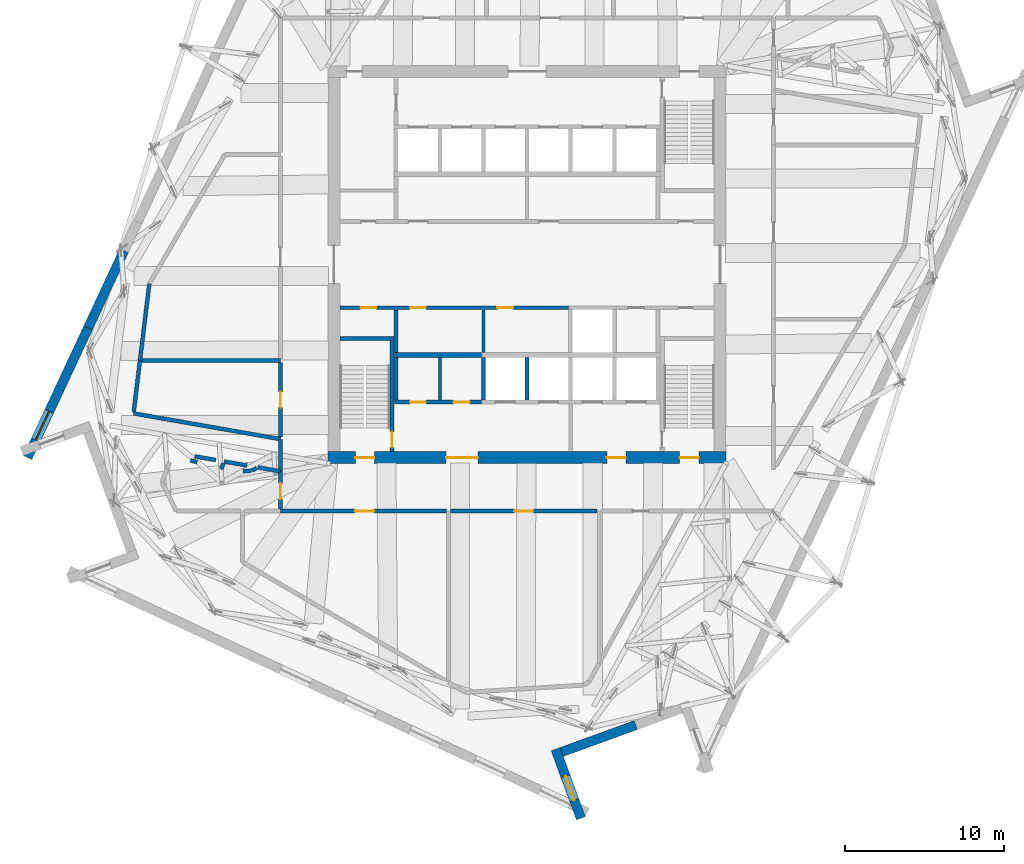
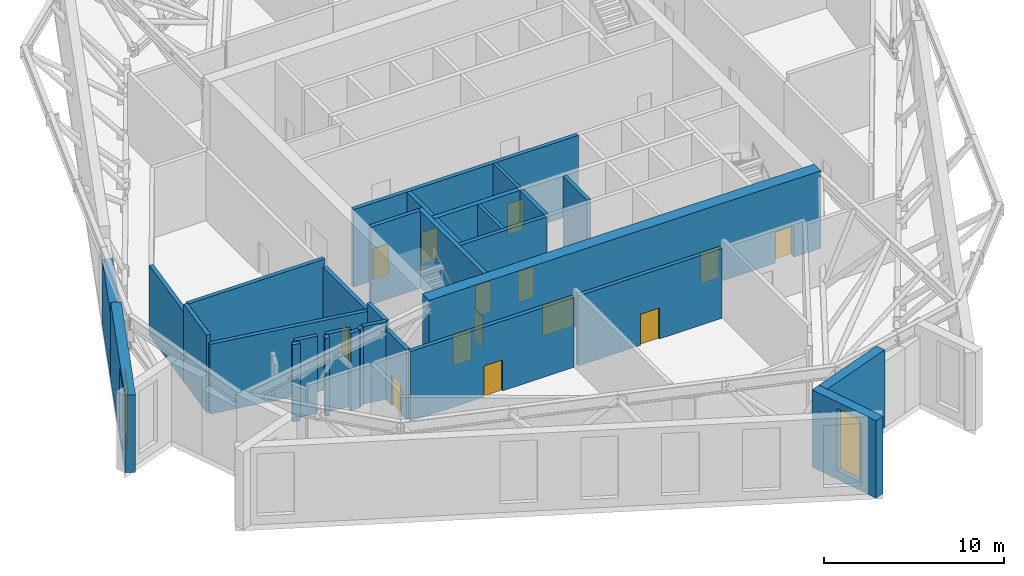
# One storey, part 5 of 15: 32 walls, 14 doors, 2 windows, 16 openings.
"""IFC4 building model written with IfcOpenShell, lengths in metres."""

from ifc_helpers import new_model, si_unit, direction, frame, frame_2d, origin, place, context, subcontext, project, spatial, rectangle, extrude, material, layer, layer_set, type_object, element, fill, save


model = new_model("IFC4")

# Units and contexts
model_context = context("Model", 3, precision=1e-05, world=origin(), true_north=direction((0.0, 1.0)))
body_context = subcontext(model_context, "Body", "Model", "MODEL_VIEW")
ifc_project = project(units=[si_unit("LENGTHUNIT", "METRE"), si_unit("AREAUNIT", "SQUARE_METRE"), si_unit("VOLUMEUNIT", "CUBIC_METRE"), si_unit("PLANEANGLEUNIT", "RADIAN"), si_unit("MASSUNIT", "GRAM", prefix="KILO")], contexts=[model_context])

# Site, building, storey
site_placement = place(None, origin())
site = spatial("IfcSite", under=ifc_project, at=site_placement, CompositionType="ELEMENT")
building_placement = place(site_placement, origin())
building = spatial("IfcBuilding", under=site, at=building_placement, Name="Dilmun Exchange Tower", CompositionType="ELEMENT")
storey_placement = place(building_placement, frame((0.0, 0.0, 290.89990234375)))
storey = spatial("IfcBuildingStorey", under=building, at=storey_placement, Name="L69", CompositionType="ELEMENT", Elevation=290.89990234375)

# Walls
ifc_material_1 = material(Name="Concrete C40/50", Category="concrete")
ifc_layer_1 = layer(ifc_material_1, 0.199951171875)
ifc_layer_set_1 = layer_set([ifc_layer_1], Name="Concrete C40/50")
wall_type_1 = type_object("IfcWallType", Name="Core partition wall 200", PredefinedType="PARTITIONING", material=ifc_layer_set_1)
for number, where, z_axis, x_axis, name in (
    (1, (-5.5, -8.544921875, 0.0), (0.0, 0.0, 1.0), (0.0, 1.0, 0.0), "L69 core partition wall 04"),
    (2, (-2.75, -5.544921875, 0.0), (0.0, 0.0, 1.0), (0.0, 1.0, 0.0), "L69 core partition wall 07"),
):
    element("IfcWall", number, at=place(storey_placement, frame(where, z_axis=z_axis, x_axis=x_axis)), inside=storey, type_object=wall_type_1, Name=name, PredefinedType="PARTITIONING", context=body_context, shape_type="SweptSolid", body=[
        extrude(rectangle(XDim=2.68994140625, YDim=0.199951171875, at=frame_2d((1.344970703125, 0.0))), origin(), (0.0, 0.0, 1.0), 5.25),
    ])

# Wall, openings, doors
ifc_layer_2 = layer(ifc_material_1, 0.25)
ifc_layer_set_2 = layer_set([ifc_layer_2], Name="Concrete C40/50")
wall_type_2 = type_object("IfcWallType", Name="Core partition wall 250", PredefinedType="PARTITIONING", material=ifc_layer_set_2)
wall_1_placement = place(storey_placement, frame((-8.3701171875, -8.675048828125, 0.0), z_axis=(0.0, 0.0, 1.0), x_axis=(1.0, 0.0, 0.0)))
wall_1 = element("IfcWall", 3, at=wall_1_placement, inside=storey, type_object=wall_type_2, Name="L69 core partition wall 02", PredefinedType="PARTITIONING", context=body_context, shape_type="SweptSolid", body=[
    extrude(rectangle(XDim=5.490234375, YDim=0.25, at=frame_2d((2.7451171875, 0.0))), origin(), (0.0, 0.0, 1.0), 5.25),
])
opening_1_placement = place(wall_1_placement, frame((0.9951171875, 0.0, 0.0)))
opening_1 = element("IfcOpeningElement", 4, at=opening_1_placement, cuts=wall_1, Name="Opening CD4", PredefinedType="OPENING", context=body_context, shape_type="SweptSolid", body=[
    extrude(rectangle(XDim=1.0, YDim=2.10009765625, at=frame_2d((0.5, 1.050048828125))), frame((0.0, 0.135009765625, 0.0), z_axis=(0.0, -1.0, 0.0), x_axis=(1.0, 0.0, 0.0)), (0.0, 0.0, 1.0), 0.27001953125),
])
opening_2_placement = place(wall_1_placement, frame((3.7451171875, 0.0, 0.0)))
opening_2 = element("IfcOpeningElement", 5, at=opening_2_placement, cuts=wall_1, Name="Opening CD4", PredefinedType="OPENING", context=body_context, shape_type="SweptSolid", body=[
    extrude(rectangle(XDim=1.0, YDim=2.10009765625, at=frame_2d((0.5, 1.050048828125))), frame((0.0, 0.135009765625, 0.0), z_axis=(0.0, -1.0, 0.0), x_axis=(1.0, 0.0, 0.0)), (0.0, 0.0, 1.0), 0.27001953125),
])
ifc_material_2 = material(Name="Fire-rated steel door set", Category="steel")
door_type_1 = type_object("IfcDoorType", Name="Core room door 1000x2100", OperationType="SINGLE_SWING_LEFT", PredefinedType="DOOR", material=ifc_material_2)
door_1_placement = place(opening_1_placement, origin())
door_1 = element("IfcDoor", 6, at=door_1_placement, inside=storey, type_object=door_type_1, Name="L69 door Male WC", OperationType="SINGLE_SWING_RIGHT", OverallHeight=2.10009765625, OverallWidth=1.0, PredefinedType="DOOR", context=body_context, shape_type="SweptSolid", body=[
    extrude(rectangle(XDim=1.0, YDim=2.10009765625, at=frame_2d((0.5, 1.050048828125))), frame((0.0, 0.02490234375, 0.0), z_axis=(0.0, -1.0, 0.0), x_axis=(1.0, 0.0, 0.0)), (0.0, 0.0, 1.0), 0.050048828125),
])
fill(opening_1, door_1)
door_2_placement = place(opening_2_placement, origin())
door_2 = element("IfcDoor", 7, at=door_2_placement, inside=storey, type_object=door_type_1, Name="L69 door Female WC", OperationType="SINGLE_SWING_RIGHT", OverallHeight=2.10009765625, OverallWidth=1.0, PredefinedType="DOOR", context=body_context, shape_type="SweptSolid", body=[
    extrude(rectangle(XDim=1.0, YDim=2.10009765625, at=frame_2d((0.5, 1.050048828125))), frame((0.0, 0.02490234375, 0.0), z_axis=(0.0, -1.0, 0.0), x_axis=(1.0, 0.0, 0.0)), (0.0, 0.0, 1.0), 0.050048828125),
])
fill(opening_2, door_2)

# Walls
for number, where, z_axis, x_axis, name in (
    (8, (-8.25, -8.544921875, 0.0), (0.0, 0.0, 1.0), (0.0, 1.0, 0.0), "L69 core partition wall 03"),
    (9, (-8.25, -5.544921875, 0.0), (0.0, 0.0, 1.0), (0.0, 1.0, 0.0), "L69 core partition wall 06"),
):
    element("IfcWall", number, at=place(storey_placement, frame(where, z_axis=z_axis, x_axis=x_axis)), inside=storey, type_object=wall_type_2, Name=name, PredefinedType="PARTITIONING", context=body_context, shape_type="SweptSolid", body=[
        extrude(rectangle(XDim=2.68994140625, YDim=0.25, at=frame_2d((1.344970703125, 0.0))), origin(), (0.0, 0.0, 1.0), 5.25),
    ])

# Wall, openings, doors
wall_2_placement = place(storey_placement, frame((-11.794921875, -2.72509765625, 0.0), z_axis=(0.0, 0.0, 1.0), x_axis=(1.0, 0.0, 0.0)))
wall_2 = element("IfcWall", 10, at=wall_2_placement, inside=storey, type_object=wall_type_2, Name="L69 core partition wall 09", PredefinedType="PARTITIONING", context=body_context, shape_type="SweptSolid", body=[
    extrude(rectangle(XDim=14.4150390625, YDim=0.25, at=frame_2d((7.20751953125, 0.0))), origin(), (0.0, 0.0, 1.0), 5.25),
])
opening_3_placement = place(wall_2_placement, frame((1.294921875, 0.0, 0.0)))
opening_3 = element("IfcOpeningElement", 11, at=opening_3_placement, cuts=wall_2, Name="Opening CD4", PredefinedType="OPENING", context=body_context, shape_type="SweptSolid", body=[
    extrude(rectangle(XDim=1.0, YDim=2.10009765625, at=frame_2d((0.5, 1.050048828125))), frame((0.0, 0.135009765625, 0.0), z_axis=(0.0, -1.0, 0.0), x_axis=(1.0, 0.0, 0.0)), (0.0, 0.0, 1.0), 0.27001953125),
])
opening_4_placement = place(wall_2_placement, frame((4.419921875, 0.0, 0.0)))
opening_4 = element("IfcOpeningElement", 12, at=opening_4_placement, cuts=wall_2, Name="Opening CD4", PredefinedType="OPENING", context=body_context, shape_type="SweptSolid", body=[
    extrude(rectangle(XDim=1.0, YDim=2.10009765625, at=frame_2d((0.5, 1.050048828125))), frame((0.0, 0.135009765625, 0.0), z_axis=(0.0, -1.0, 0.0), x_axis=(1.0, 0.0, 0.0)), (0.0, 0.0, 1.0), 0.27001953125),
])
opening_5_placement = place(wall_2_placement, frame((9.919921875, 0.0, 0.0)))
opening_5 = element("IfcOpeningElement", 13, at=opening_5_placement, cuts=wall_2, Name="Opening CD4", PredefinedType="OPENING", context=body_context, shape_type="SweptSolid", body=[
    extrude(rectangle(XDim=1.0, YDim=2.10009765625, at=frame_2d((0.5, 1.050048828125))), frame((0.0, 0.135009765625, 0.0), z_axis=(0.0, -1.0, 0.0), x_axis=(1.0, 0.0, 0.0)), (0.0, 0.0, 1.0), 0.27001953125),
])
door_3_placement = place(opening_3_placement, origin())
door_3 = element("IfcDoor", 14, at=door_3_placement, inside=storey, type_object=door_type_1, Name="L69 door Accessible WC", OperationType="SINGLE_SWING_RIGHT", OverallHeight=2.10009765625, OverallWidth=1.0, PredefinedType="DOOR", context=body_context, shape_type="SweptSolid", body=[
    extrude(rectangle(XDim=1.0, YDim=2.10009765625, at=frame_2d((0.5, 1.050048828125))), frame((0.0, 0.02490234375, 0.0), z_axis=(0.0, -1.0, 0.0), x_axis=(1.0, 0.0, 0.0)), (0.0, 0.0, 1.0), 0.050048828125),
])
fill(opening_3, door_3)
door_4_placement = place(opening_4_placement, origin())
door_4 = element("IfcDoor", 15, at=door_4_placement, inside=storey, type_object=door_type_1, Name="L69 door Archive store", OperationType="SINGLE_SWING_RIGHT", OverallHeight=2.10009765625, OverallWidth=1.0, PredefinedType="DOOR", context=body_context, shape_type="SweptSolid", body=[
    extrude(rectangle(XDim=1.0, YDim=2.10009765625, at=frame_2d((0.5, 1.050048828125))), frame((0.0, 0.02490234375, 0.0), z_axis=(0.0, -1.0, 0.0), x_axis=(1.0, 0.0, 0.0)), (0.0, 0.0, 1.0), 0.050048828125),
])
fill(opening_4, door_4)
door_5_placement = place(opening_5_placement, origin())
door_5 = element("IfcDoor", 16, at=door_5_placement, inside=storey, type_object=door_type_1, Name="L69 door Switch room", OperationType="SINGLE_SWING_RIGHT", OverallHeight=2.10009765625, OverallWidth=1.0, PredefinedType="DOOR", context=body_context, shape_type="SweptSolid", body=[
    extrude(rectangle(XDim=1.0, YDim=2.10009765625, at=frame_2d((0.5, 1.050048828125))), frame((0.0, 0.02490234375, 0.0), z_axis=(0.0, -1.0, 0.0), x_axis=(1.0, 0.0, 0.0)), (0.0, 0.0, 1.0), 0.050048828125),
])
fill(opening_5, door_5)

# Wall
ifc_layer_3 = layer(ifc_material_1, 0.300048828125)
ifc_layer_set_3 = layer_set([ifc_layer_3], Name="Concrete C40/50")
wall_type_3 = type_object("IfcWallType", Name="Core partition wall 300", PredefinedType="PARTITIONING", material=ifc_layer_set_3)
wall_3_placement = place(storey_placement, frame((-8.35009765625, -5.699951171875, 0.0), z_axis=(0.0, 0.0, 1.0), x_axis=(1.0, 0.0, 0.0)))
element("IfcWall", 17, at=wall_3_placement, inside=storey, type_object=wall_type_3, Name="L69 core partition wall 05", PredefinedType="PARTITIONING", context=body_context, shape_type="SweptSolid", body=[
    extrude(rectangle(XDim=5.47021484375, YDim=0.300048828125, at=frame_2d((2.735107421875, 0.0))), origin(), (0.0, 0.0, 1.0), 5.25),
])

# Wall, openings, doors
ifc_material_3 = material(Name="Concrete C50/60", Category="concrete")
ifc_layer_4 = layer(ifc_material_3, 0.75)
ifc_layer_set_4 = layer_set([ifc_layer_4], Name="Concrete C50/60")
wall_type_4 = type_object("IfcWallType", Name="Core shear wall 750 Concrete C50/60", PredefinedType="SHEAR", material=ifc_layer_set_4)
wall_4_placement = place(storey_placement, frame((-12.550048828125, -12.175048828125, 0.0), z_axis=(0.0, 0.0, 1.0), x_axis=(1.0, 0.0, 0.0)))
wall_4 = element("IfcWall", 18, at=wall_4_placement, inside=storey, type_object=wall_type_4, Name="L69 core shear wall S", PredefinedType="SHEAR", context=body_context, shape_type="SweptSolid", body=[
    extrude(rectangle(XDim=25.10009765625, YDim=0.75, at=frame_2d((12.550048828125, 0.0))), origin(), (0.0, 0.0, 1.0), 5.25),
])
opening_6_placement = place(wall_4_placement, frame((7.449951171875, 0.0, 0.0)))
opening_6 = element("IfcOpeningElement", 19, at=opening_6_placement, cuts=wall_4, Name="Opening CD2", PredefinedType="OPENING", context=body_context, shape_type="SweptSolid", body=[
    extrude(rectangle(XDim=2.0, YDim=2.10009765625, at=frame_2d((1.0, 1.050048828125))), frame((0.0, 0.385009765625, 0.0), z_axis=(0.0, -1.0, 0.0), x_axis=(1.0, 0.0, 0.0)), (0.0, 0.0, 1.0), 0.77001953125),
])
opening_7_placement = place(wall_4_placement, frame((17.574951171875, 0.0, 0.0)))
opening_7 = element("IfcOpeningElement", 20, at=opening_7_placement, cuts=wall_4, Name="Opening CD3", PredefinedType="OPENING", context=body_context, shape_type="SweptSolid", body=[
    extrude(rectangle(XDim=1.199951171875, YDim=2.10009765625, at=frame_2d((0.60009765625, 1.050048828125))), frame((0.0, 0.385009765625, 0.0), z_axis=(0.0, -1.0, 0.0), x_axis=(1.0, 0.0, 0.0)), (0.0, 0.0, 1.0), 0.77001953125),
])
opening_8_placement = place(wall_4_placement, frame((1.72509765625, 0.0, 0.0)))
opening_8 = element("IfcOpeningElement", 21, at=opening_8_placement, cuts=wall_4, Name="Opening CD3", PredefinedType="OPENING", context=body_context, shape_type="SweptSolid", body=[
    extrude(rectangle(XDim=1.199951171875, YDim=2.10009765625, at=frame_2d((0.60009765625, 1.050048828125))), frame((0.0, 0.385009765625, 0.0), z_axis=(0.0, -1.0, 0.0), x_axis=(1.0, 0.0, 0.0)), (0.0, 0.0, 1.0), 0.77001953125),
])
opening_9_placement = place(wall_4_placement, frame((22.175048828125, 0.0, 0.0)))
opening_9 = element("IfcOpeningElement", 22, at=opening_9_placement, cuts=wall_4, Name="Opening CD3", PredefinedType="OPENING", context=body_context, shape_type="SweptSolid", body=[
    extrude(rectangle(XDim=1.199951171875, YDim=2.10009765625, at=frame_2d((0.60009765625, 1.050048828125))), frame((0.0, 0.385009765625, 0.0), z_axis=(0.0, -1.0, 0.0), x_axis=(1.0, 0.0, 0.0)), (0.0, 0.0, 1.0), 0.77001953125),
])
door_type_2 = type_object("IfcDoorType", Name="Core service door 2000x2100", OperationType="DOUBLE_DOOR_DOUBLE_SWING", PredefinedType="DOOR", material=ifc_material_2)
door_6_placement = place(opening_6_placement, origin())
door_6 = element("IfcDoor", 23, at=door_6_placement, inside=storey, type_object=door_type_2, Name="L69 door South service lobby", OperationType="SINGLE_SWING_LEFT", OverallHeight=2.10009765625, OverallWidth=2.0, PredefinedType="DOOR", context=body_context, shape_type="SweptSolid", body=[
    extrude(rectangle(XDim=2.0, YDim=2.10009765625, at=frame_2d((1.0, 1.050048828125))), frame((0.0, 0.02490234375, 0.0), z_axis=(0.0, -1.0, 0.0), x_axis=(1.0, 0.0, 0.0)), (0.0, 0.0, 1.0), 0.050048828125),
])
fill(opening_6, door_6)
door_type_3 = type_object("IfcDoorType", Name="Stair exit door 1200x2100", OperationType="SINGLE_SWING_LEFT", PredefinedType="DOOR", material=ifc_material_2)
door_7_placement = place(opening_7_placement, origin())
door_7 = element("IfcDoor", 24, at=door_7_placement, inside=storey, type_object=door_type_3, Name="L69 door Fire-fighting lobby", OperationType="SINGLE_SWING_LEFT", OverallHeight=2.10009765625, OverallWidth=1.199951171875, PredefinedType="DOOR", context=body_context, shape_type="SweptSolid", body=[
    extrude(rectangle(XDim=1.199951171875, YDim=2.10009765625, at=frame_2d((0.60009765625, 1.050048828125))), frame((0.0, 0.02490234375, 0.0), z_axis=(0.0, -1.0, 0.0), x_axis=(1.0, 0.0, 0.0)), (0.0, 0.0, 1.0), 0.050048828125),
])
fill(opening_7, door_7)
door_8_placement = place(opening_8_placement, origin())
door_8 = element("IfcDoor", 25, at=door_8_placement, inside=storey, type_object=door_type_3, Name="L69 door Stair ST2", OperationType="SINGLE_SWING_LEFT", OverallHeight=2.10009765625, OverallWidth=1.199951171875, PredefinedType="DOOR", context=body_context, shape_type="SweptSolid", body=[
    extrude(rectangle(XDim=1.199951171875, YDim=2.10009765625, at=frame_2d((0.60009765625, 1.050048828125))), frame((0.0, 0.02490234375, 0.0), z_axis=(0.0, -1.0, 0.0), x_axis=(1.0, 0.0, 0.0)), (0.0, 0.0, 1.0), 0.050048828125),
])
fill(opening_8, door_8)
door_9_placement = place(opening_9_placement, origin())
door_9 = element("IfcDoor", 26, at=door_9_placement, inside=storey, type_object=door_type_3, Name="L69 door Stair ST3", OperationType="SINGLE_SWING_LEFT", OverallHeight=2.10009765625, OverallWidth=1.199951171875, PredefinedType="DOOR", context=body_context, shape_type="SweptSolid", body=[
    extrude(rectangle(XDim=1.199951171875, YDim=2.10009765625, at=frame_2d((0.60009765625, 1.050048828125))), frame((0.0, 0.02490234375, 0.0), z_axis=(0.0, -1.0, 0.0), x_axis=(1.0, 0.0, 0.0)), (0.0, 0.0, 1.0), 0.050048828125),
])
fill(opening_9, door_9)

# Walls
ifc_layer_5 = layer(ifc_material_1, 0.25)
ifc_layer_set_5 = layer_set([ifc_layer_5], Name="Concrete C40/50")
wall_type_5 = type_object("IfcWallType", Name="Lift shaft wall 250", PredefinedType="SOLIDWALL", material=ifc_layer_set_5)
for number, where, z_axis, x_axis, name in (
    (27, (-2.75, -8.550048828125, 0.0), (0.0, 0.0, 1.0), (0.0, 1.0, 0.0), "L69 lift shaft divider S22"),
    (28, (0.0, -8.550048828125, 0.0), (0.0, 0.0, 1.0), (0.0, 1.0, 0.0), "L69 lift shaft divider S23"),
):
    element("IfcWall", number, at=place(storey_placement, frame(where, z_axis=z_axis, x_axis=x_axis)), inside=storey, type_object=wall_type_5, Name=name, PredefinedType="SOLIDWALL", context=body_context, shape_type="SweptSolid", body=[
        extrude(rectangle(XDim=2.699951171875, YDim=0.25, at=frame_2d((1.35009765625, 0.0))), origin(), (0.0, 0.0, 1.0), 5.25),
    ])

# Wall, opening, door
ifc_material_4 = material(Name="Concrete C32/40", Category="concrete")
ifc_layer_6 = layer(ifc_material_4, 0.25)
ifc_layer_set_6 = layer_set([ifc_layer_6], Name="Concrete C32/40")
wall_type_6 = type_object("IfcWallType", Name="Plant room wall 250", PredefinedType="PARTITIONING", material=ifc_layer_set_6)
wall_5_placement = place(storey_placement, frame((-15.544921875, -15.550048828125, 0.0), z_axis=(0.0, 0.0, 1.0), x_axis=(1.0, 0.0, 0.0)))
wall_5 = element("IfcWall", 29, at=wall_5_placement, inside=storey, type_object=wall_type_6, Name="L69 plant room wall 12", PredefinedType="PARTITIONING", context=body_context, shape_type="SweptSolid", body=[
    extrude(rectangle(XDim=10.46484375, YDim=0.25, at=frame_2d((5.232421875, 0.0))), origin(), (0.0, 0.0, 1.0), 4.72998046875),
])
opening_10_placement = place(wall_5_placement, frame((4.695068359375, 0.0, 0.0)))
opening_10 = element("IfcOpeningElement", 30, at=opening_10_placement, cuts=wall_5, Name="Opening PD2", PredefinedType="OPENING", context=body_context, shape_type="SweptSolid", body=[
    extrude(rectangle(XDim=1.199951171875, YDim=2.10009765625, at=frame_2d((0.60009765625, 1.050048828125))), frame((0.0, 0.135009765625, 0.0), z_axis=(0.0, -1.0, 0.0), x_axis=(1.0, 0.0, 0.0)), (0.0, 0.0, 1.0), 0.27001953125),
])
door_type_4 = type_object("IfcDoorType", Name="Plant room door 1200x2100", OperationType="SINGLE_SWING_LEFT", PredefinedType="DOOR", material=ifc_material_2)
door_10_placement = place(opening_10_placement, origin())
door_10 = element("IfcDoor", 31, at=door_10_placement, inside=storey, type_object=door_type_4, Name="L69 door Refuge area", OperationType="SINGLE_SWING_LEFT", OverallHeight=2.10009765625, OverallWidth=1.199951171875, PredefinedType="DOOR", context=body_context, shape_type="SweptSolid", body=[
    extrude(rectangle(XDim=1.199951171875, YDim=2.10009765625, at=frame_2d((0.60009765625, 1.050048828125))), frame((0.0, 0.02490234375, 0.0), z_axis=(0.0, -1.0, 0.0), x_axis=(1.0, 0.0, 0.0)), (0.0, 0.0, 1.0), 0.050048828125),
])
fill(opening_10, door_10)

wall_6_placement = place(storey_placement, frame((-4.820068359375, -15.550048828125, 0.0), z_axis=(0.0, 0.0, 1.0), x_axis=(1.0, 0.0, 0.0)))
wall_6 = element("IfcWall", 32, at=wall_6_placement, inside=storey, type_object=wall_type_6, Name="L69 plant room wall 13", PredefinedType="PARTITIONING", context=body_context, shape_type="SweptSolid", body=[
    extrude(rectangle(XDim=9.239990234375, YDim=0.25, at=frame_2d((4.6201171875, 0.0))), origin(), (0.0, 0.0, 1.0), 4.72998046875),
])
opening_11_placement = place(wall_6_placement, frame((4.02001953125, 0.0, 0.0)))
opening_11 = element("IfcOpeningElement", 33, at=opening_11_placement, cuts=wall_6, Name="Opening PD2", PredefinedType="OPENING", context=body_context, shape_type="SweptSolid", body=[
    extrude(rectangle(XDim=1.199951171875, YDim=2.10009765625, at=frame_2d((0.60009765625, 1.050048828125))), frame((0.0, 0.135009765625, 0.0), z_axis=(0.0, -1.0, 0.0), x_axis=(1.0, 0.0, 0.0)), (0.0, 0.0, 1.0), 0.27001953125),
])
door_11_placement = place(opening_11_placement, origin())
door_11 = element("IfcDoor", 34, at=door_11_placement, inside=storey, type_object=door_type_4, Name="L69 door Plant control room", OperationType="SINGLE_SWING_RIGHT", OverallHeight=2.10009765625, OverallWidth=1.199951171875, PredefinedType="DOOR", context=body_context, shape_type="SweptSolid", body=[
    extrude(rectangle(XDim=1.199951171875, YDim=2.10009765625, at=frame_2d((0.60009765625, 1.050048828125))), frame((0.0, 0.02490234375, 0.0), z_axis=(0.0, -1.0, 0.0), x_axis=(1.0, 0.0, 0.0)), (0.0, 0.0, 1.0), 0.050048828125),
])
fill(opening_11, door_11)

wall_7_placement = place(storey_placement, frame((-15.550048828125, -15.419921875, 0.0), z_axis=(0.0, 0.0, 1.0), x_axis=(0.0, 1.0, 0.0)))
wall_7 = element("IfcWall", 35, at=wall_7_placement, inside=storey, type_object=wall_type_6, Name="L69 plant room wall 18", PredefinedType="PARTITIONING", context=body_context, shape_type="SweptSolid", body=[
    extrude(rectangle(XDim=2.380126953125, YDim=0.25, at=frame_2d((1.18994140625, 0.0))), origin(), (0.0, 0.0, 1.0), 4.72998046875),
])
opening_12_placement = place(wall_7_placement, frame((0.625244140625, 0.0, 0.0)))
opening_12 = element("IfcOpeningElement", 36, at=opening_12_placement, cuts=wall_7, Name="Opening PD1", PredefinedType="OPENING", context=body_context, shape_type="SweptSolid", body=[
    extrude(rectangle(XDim=1.0, YDim=2.10009765625, at=frame_2d((0.5, 1.050048828125))), frame((0.0, 0.135009765625, 0.0), z_axis=(0.0, -1.0, 0.0), x_axis=(1.0, 0.0, 0.0)), (0.0, 0.0, 1.0), 0.27001953125),
])
door_type_5 = type_object("IfcDoorType", Name="Plant room door 1000x2100", OperationType="SINGLE_SWING_LEFT", PredefinedType="DOOR", material=ifc_material_2)
door_12_placement = place(opening_12_placement, origin())
door_12 = element("IfcDoor", 37, at=door_12_placement, inside=storey, type_object=door_type_5, Name="L69 door Electrical plant room", OperationType="SINGLE_SWING_LEFT", OverallHeight=2.10009765625, OverallWidth=1.0, PredefinedType="DOOR", context=body_context, shape_type="SweptSolid", body=[
    extrude(rectangle(XDim=1.0, YDim=2.10009765625, at=frame_2d((0.5, 1.050048828125))), frame((0.0, 0.02490234375, 0.0), z_axis=(0.0, -1.0, 0.0), x_axis=(1.0, 0.0, 0.0)), (0.0, 0.0, 1.0), 0.050048828125),
])
fill(opening_12, door_12)

# Walls
wall_8_placement = place(storey_placement, frame((-17.910400390625, -13.03466796875, 0.0), z_axis=(0.0, 0.0, 1.0), x_axis=(0.997609037461, 0.069110117755, 0.0)))
element("IfcWall", 38, at=wall_8_placement, inside=storey, type_object=wall_type_6, Name="L69 plant room wall 19", PredefinedType="PARTITIONING", context=body_context, shape_type="SweptSolid", body=[
    extrude(rectangle(XDim=0.5439453125, YDim=0.25, at=frame_2d((0.27197265625, 0.0))), origin(), (0.0, 0.0, 1.0), 5.25),
])
wall_9_placement = place(storey_placement, frame((-17.339599609375, -12.98876953125, 0.0), z_axis=(0.0, 0.0, 1.0), x_axis=(0.874898620838, 0.484306104912, 0.0)))
element("IfcWall", 39, at=wall_9_placement, inside=storey, type_object=wall_type_6, Name="L69 plant room wall 20", PredefinedType="PARTITIONING", context=body_context, shape_type="SweptSolid", body=[
    extrude(rectangle(XDim=0.34130859375, YDim=0.25, at=frame_2d((0.170654296875, 0.0))), origin(), (0.0, 0.0, 1.0), 5.25),
])
wall_10_placement = place(storey_placement, frame((-19.28759765625, -12.909423828125, 0.0), z_axis=(0.0, 0.0, 1.0), x_axis=(0.354964112226, 0.934879927601, 0.0)))
element("IfcWall", 40, at=wall_10_placement, inside=storey, type_object=wall_type_6, Name="L69 plant room wall 22", PredefinedType="PARTITIONING", context=body_context, shape_type="SweptSolid", body=[
    extrude(rectangle(XDim=0.40380859375, YDim=0.25, at=frame_2d((0.201904296875, 0.0))), origin(), (0.0, 0.0, 1.0), 5.25),
])
wall_11_placement = place(storey_placement, frame((-16.973388671875, -12.79052734375, 0.0), z_axis=(0.0, 0.0, 1.0), x_axis=(0.98499458313, -0.172585257783, 0.0)))
element("IfcWall", 41, at=wall_11_placement, inside=storey, type_object=wall_type_6, Name="L69 plant room wall 24", PredefinedType="PARTITIONING", context=body_context, shape_type="SweptSolid", body=[
    extrude(rectangle(XDim=1.416015625, YDim=0.25, at=frame_2d((0.7080078125, 0.0))), origin(), (0.0, 0.0, 1.0), 5.25),
])
wall_12_placement = place(storey_placement, frame((-19.10107421875, -12.41796875, 0.0), z_axis=(0.0, 0.0, 1.0), x_axis=(0.985007795471, -0.172509834098, 0.0)))
element("IfcWall", 42, at=wall_12_placement, inside=storey, type_object=wall_type_6, Name="L69 plant room wall 25", PredefinedType="PARTITIONING", context=body_context, shape_type="SweptSolid", body=[
    extrude(rectangle(XDim=1.46337890625, YDim=0.25, at=frame_2d((0.731689453125, 0.0))), origin(), (0.0, 0.0, 1.0), 5.25),
])
wall_13_placement = place(storey_placement, frame((-21.2216796875, -12.3505859375, 0.0), z_axis=(0.0, 0.0, 1.0), x_axis=(0.966951840267, -0.254959092022, 0.0)))
element("IfcWall", 43, at=wall_13_placement, inside=storey, type_object=wall_type_6, Name="L69 plant room wall 26", PredefinedType="PARTITIONING", context=body_context, shape_type="SweptSolid", body=[
    extrude(rectangle(XDim=0.4384765625, YDim=0.25, at=frame_2d((0.21923828125, 0.0))), origin(), (0.0, 0.0, 1.0), 5.25),
])
wall_14_placement = place(storey_placement, frame((-20.946533203125, -12.0966796875, 0.0), z_axis=(0.0, 0.0, 1.0), x_axis=(0.985238475206, -0.171187461496, 0.0)))
element("IfcWall", 44, at=wall_14_placement, inside=storey, type_object=wall_type_6, Name="L69 plant room wall 27", PredefinedType="PARTITIONING", context=body_context, shape_type="SweptSolid", body=[
    extrude(rectangle(XDim=1.340576171875, YDim=0.25, at=frame_2d((0.67041015625, 0.0))), origin(), (0.0, 0.0, 1.0), 5.25),
])
wall_15_placement = place(storey_placement, frame((-24.814208984375, -9.38720703125, 0.0), z_axis=(0.0, 0.0, 1.0), x_axis=(0.985010846498, -0.172492412243, 0.0)))
element("IfcWall", 45, at=wall_15_placement, inside=storey, type_object=wall_type_6, Name="L69 plant room wall 28", PredefinedType="PARTITIONING", context=body_context, shape_type="SweptSolid", body=[
    extrude(rectangle(XDim=9.405029296875, YDim=0.25, at=frame_2d((4.70263671875, 0.0))), origin(), (0.0, 0.0, 1.0), 4.72998046875),
])
wall_16_placement = place(storey_placement, frame((-15.550048828125, -13.034912109375, 0.0), z_axis=(0.0, 0.0, 1.0), x_axis=(0.0, 1.0, 0.0)))
element("IfcWall", 46, at=wall_16_placement, inside=storey, type_object=wall_type_6, Name="L69 plant room wall 29", PredefinedType="PARTITIONING", context=body_context, shape_type="SweptSolid", body=[
    extrude(rectangle(XDim=1.99658203125, YDim=0.25, at=frame_2d((0.998291015625, 0.0))), origin(), (0.0, 0.0, 1.0), 5.25),
])
wall_17_placement = place(storey_placement, frame((-24.802490234375, -9.29150390625, 0.0), z_axis=(0.0, 0.0, 1.0), x_axis=(0.121117262507, 0.992638206359, 0.0)))
element("IfcWall", 47, at=wall_17_placement, inside=storey, type_object=wall_type_6, Name="L69 plant room wall 31", PredefinedType="PARTITIONING", context=body_context, shape_type="SweptSolid", body=[
    extrude(rectangle(XDim=3.265380859375, YDim=0.25, at=frame_2d((1.6328125, 0.0))), origin(), (0.0, 0.0, 1.0), 5.25),
])
wall_18_placement = place(storey_placement, frame((-24.406494140625, -6.044921875, 0.0), z_axis=(0.0, 0.0, 1.0), x_axis=(0.121133902462, 0.992636175884, 0.0)))
element("IfcWall", 48, at=wall_18_placement, inside=storey, type_object=wall_type_6, Name="L69 plant room wall 32", PredefinedType="PARTITIONING", context=body_context, shape_type="SweptSolid", body=[
    extrude(rectangle(XDim=4.869384765625, YDim=0.25, at=frame_2d((2.4345703125, 0.0))), origin(), (0.0, 0.0, 1.0), 4.72998046875),
])
wall_19_placement = place(storey_placement, frame((-24.27587890625, -6.050048828125, 0.0), z_axis=(0.0, 0.0, 1.0), x_axis=(1.0, 0.0, 0.0)))
element("IfcWall", 49, at=wall_19_placement, inside=storey, type_object=wall_type_6, Name="L69 plant room wall 33", PredefinedType="PARTITIONING", context=body_context, shape_type="SweptSolid", body=[
    extrude(rectangle(XDim=8.725830078125, YDim=0.25, at=frame_2d((4.36279296875, 0.0))), origin(), (0.0, 0.0, 1.0), 5.25),
])

# Wall, opening, door
wall_20_placement = place(storey_placement, frame((-15.550048828125, -10.87744140625, 0.0), z_axis=(0.0, 0.0, 1.0), x_axis=(0.0, 1.0, 0.0)))
wall_20 = element("IfcWall", 50, at=wall_20_placement, inside=storey, type_object=wall_type_6, Name="L69 plant room wall 34", PredefinedType="PARTITIONING", context=body_context, shape_type="SweptSolid", body=[
    extrude(rectangle(XDim=4.697509765625, YDim=0.25, at=frame_2d((2.3486328125, 0.0))), origin(), (0.0, 0.0, 1.0), 4.72998046875),
])
opening_13_placement = place(wall_20_placement, frame((1.847900390625, 0.0, 0.0)))
opening_13 = element("IfcOpeningElement", 51, at=opening_13_placement, cuts=wall_20, Name="Opening PD1", PredefinedType="OPENING", context=body_context, shape_type="SweptSolid", body=[
    extrude(rectangle(XDim=1.0, YDim=2.10009765625, at=frame_2d((0.5, 1.050048828125))), frame((0.0, 0.135009765625, 0.0), z_axis=(0.0, -1.0, 0.0), x_axis=(1.0, 0.0, 0.0)), (0.0, 0.0, 1.0), 0.27001953125),
])
door_13_placement = place(opening_13_placement, origin())
door_13 = element("IfcDoor", 52, at=door_13_placement, inside=storey, type_object=door_type_5, Name="L69 door Battery plant room", OperationType="SINGLE_SWING_RIGHT", OverallHeight=2.10009765625, OverallWidth=1.0, PredefinedType="DOOR", context=body_context, shape_type="SweptSolid", body=[
    extrude(rectangle(XDim=1.0, YDim=2.10009765625, at=frame_2d((0.5, 1.050048828125))), frame((0.0, 0.02490234375, 0.0), z_axis=(0.0, -1.0, 0.0), x_axis=(1.0, 0.0, 0.0)), (0.0, 0.0, 1.0), 0.050048828125),
])
fill(opening_13, door_13)

# Wall
ifc_material_5 = material(Name="Precast concrete C50/60", Category="concrete")
ifc_layer_7 = layer(ifc_material_5, 0.60009765625)
ifc_layer_set_7 = layer_set([ifc_layer_7], Name="Precast concrete C50/60")
wall_type_7 = type_object("IfcWallType", Name="Precast stone-clad wall 600", PredefinedType="STANDARD", material=ifc_layer_set_7)
wall_21_placement = place(storey_placement, frame((-25.408447265625, 0.880615234375, 0.0), z_axis=(0.0, 0.0, 1.0), x_axis=(-0.42260230904, -0.906315225732, 0.0)))
element("IfcWall", 53, at=wall_21_placement, inside=storey, type_object=wall_type_7, Name="Facade wall L69-03c", PredefinedType="STANDARD", context=body_context, shape_type="SweptSolid", body=[
    extrude(rectangle(XDim=5.38134765625, YDim=0.60009765625, at=frame_2d((2.690673828125, 0.0))), origin(), (0.0, 0.0, 1.0), 4.43603515625),
])

# Wall, opening, window
wall_22_placement = place(storey_placement, frame((-27.6826171875, -3.99658203125, 0.0), z_axis=(0.0, 0.0, 1.0), x_axis=(-0.422638049203, -0.906298559729, 0.0)))
wall_22 = element("IfcWall", 54, at=wall_22_placement, inside=storey, type_object=wall_type_7, Name="Facade wall L69-03d", PredefinedType="STANDARD", context=body_context, shape_type="SweptSolid", body=[
    extrude(rectangle(XDim=9.02197265625, YDim=0.60009765625, at=frame_2d((4.510986328125, 0.0))), origin(), (0.0, 0.0, 1.0), 5.25),
])
opening_14_placement = place(wall_22_placement, frame((5.801513671875, 0.0, 0.60009765625)))
opening_14 = element("IfcOpeningElement", 55, at=opening_14_placement, cuts=wall_22, Name="Opening LV200-420", PredefinedType="OPENING", context=body_context, shape_type="SweptSolid", body=[
    extrude(rectangle(XDim=2.0, YDim=4.199951171875, at=frame_2d((1.0, 2.10009765625))), frame((0.0, 0.31005859375, 0.0), z_axis=(0.0, -1.0, 0.0), x_axis=(1.0, 0.0, 0.0)), (0.0, 0.0, 1.0), 0.6201171875),
])
ifc_material_6 = material(Name="Anodised aluminium louvre blades with sand trap", Category="aluminium")
window_type_1 = type_object("IfcWindowType", Name="Plant louvre 2000 x 4200", PartitioningType="SINGLE_PANEL", PredefinedType="USERDEFINED", material=ifc_material_6)
window_1_placement = place(opening_14_placement, origin())
window_1 = element("IfcWindow", 56, at=window_1_placement, inside=storey, type_object=window_type_1, Name="Plant louvre 4.11", ObjectType="LOUVRE", OverallHeight=4.199951171875, OverallWidth=2.0, PartitioningType="SINGLE_PANEL", PredefinedType="USERDEFINED", context=body_context, shape_type="SweptSolid", body=[
    extrude(rectangle(XDim=2.0, YDim=4.199951171875, at=frame_2d((1.0, 2.10009765625))), frame((0.0, 0.030029296875, 0.0), z_axis=(0.0, -1.0, 0.0), x_axis=(1.0, 0.0, 0.0)), (0.0, 0.0, 1.0), 0.06005859375),
])
fill(opening_14, window_1)

wall_23_placement = place(storey_placement, frame((3.39208984375, -34.917236328125, 0.0), z_axis=(0.0, 0.0, 1.0), x_axis=(-0.342022146835, 0.939691891566, 0.0)))
wall_23 = element("IfcWall", 57, at=wall_23_placement, inside=storey, type_object=wall_type_7, Name="Facade wall L69-08", PredefinedType="STANDARD", context=body_context, shape_type="SweptSolid", body=[
    extrude(rectangle(XDim=4.635498046875, YDim=0.60009765625, at=frame_2d((2.31787109375, 0.0))), origin(), (0.0, 0.0, 1.0), 5.25),
])
opening_15_placement = place(wall_23_placement, frame((1.2177734375, 0.0, 0.60009765625)))
opening_15 = element("IfcOpeningElement", 58, at=opening_15_placement, cuts=wall_23, Name="Opening LV160-420", PredefinedType="OPENING", context=body_context, shape_type="SweptSolid", body=[
    extrude(rectangle(XDim=1.60009765625, YDim=4.199951171875, at=frame_2d((0.800048828125, 2.10009765625))), frame((0.0, 0.31005859375, 0.0), z_axis=(0.0, -1.0, 0.0), x_axis=(1.0, 0.0, 0.0)), (0.0, 0.0, 1.0), 0.6201171875),
])
window_type_2 = type_object("IfcWindowType", Name="Plant louvre 1600 x 4200", PartitioningType="SINGLE_PANEL", PredefinedType="USERDEFINED", material=ifc_material_6)
window_2_placement = place(opening_15_placement, origin())
window_2 = element("IfcWindow", 59, at=window_2_placement, inside=storey, type_object=window_type_2, Name="Plant louvre 9.1", ObjectType="LOUVRE", OverallHeight=4.199951171875, OverallWidth=1.60009765625, PartitioningType="SINGLE_PANEL", PredefinedType="USERDEFINED", context=body_context, shape_type="SweptSolid", body=[
    extrude(rectangle(XDim=1.60009765625, YDim=4.199951171875, at=frame_2d((0.800048828125, 2.10009765625))), frame((0.0, 0.030029296875, 0.0), z_axis=(0.0, -1.0, 0.0), x_axis=(1.0, 0.0, 0.0)), (0.0, 0.0, 1.0), 0.06005859375),
])
fill(opening_15, window_2)

# Walls
wall_24_placement = place(storey_placement, frame((2.19140625, -30.740478515625, 0.0), z_axis=(0.0, 0.0, 1.0), x_axis=(0.939682808982, 0.342047099831, 0.0)))
element("IfcWall", 60, at=wall_24_placement, inside=storey, type_object=wall_type_7, Name="Facade wall L69-09a", PredefinedType="STANDARD", context=body_context, shape_type="SweptSolid", body=[
    extrude(rectangle(XDim=4.964111328125, YDim=0.60009765625, at=frame_2d((2.48193359375, 0.0))), origin(), (0.0, 0.0, 1.0), 5.25),
])
ifc_layer_8 = layer(ifc_material_1, 0.25)
ifc_layer_set_8 = layer_set([ifc_layer_8], Name="Concrete C40/50")
wall_type_8 = type_object("IfcWallType", Name="Stair end wall 250", PredefinedType="SOLIDWALL", material=ifc_layer_set_8)
wall_25_placement = place(storey_placement, frame((-8.64990234375, -4.675048828125, 0.0), z_axis=(0.0, 0.0, 1.0), x_axis=(-1.0, 0.0, 0.0)))
element("IfcWall", 61, at=wall_25_placement, inside=storey, type_object=wall_type_8, Name="L69 ST2 far wall", PredefinedType="SOLIDWALL", context=body_context, shape_type="SweptSolid", body=[
    extrude(rectangle(XDim=3.150146484375, YDim=0.25, at=frame_2d((1.5751953125, 0.0))), origin(), (0.0, 0.0, 1.0), 5.25),
])

# Wall, opening, door
ifc_layer_9 = layer(ifc_material_1, 0.27490234375)
ifc_layer_set_9 = layer_set([ifc_layer_9], Name="Concrete C40/50")
wall_type_9 = type_object("IfcWallType", Name="Stair wall 275", PredefinedType="SOLIDWALL", material=ifc_layer_set_9)
wall_26_placement = place(storey_placement, frame((-8.512451171875, -4.550048828125, 0.0), z_axis=(0.0, 0.0, 1.0), x_axis=(0.0, -1.0, 0.0)))
wall_26 = element("IfcWall", 62, at=wall_26_placement, inside=storey, type_object=wall_type_9, Name="L69 ST2 wall to lift block", PredefinedType="SOLIDWALL", context=body_context, shape_type="SweptSolid", body=[
    extrude(rectangle(XDim=7.25, YDim=0.27490234375, at=frame_2d((3.625, 0.0))), origin(), (0.0, 0.0, 1.0), 5.25),
])
opening_16_placement = place(wall_26_placement, frame((6.0, 0.0, 0.0)))
opening_16 = element("IfcOpeningElement", 63, at=opening_16_placement, cuts=wall_26, Name="Opening CD4", PredefinedType="OPENING", context=body_context, shape_type="SweptSolid", body=[
    extrude(rectangle(XDim=1.0, YDim=2.10009765625, at=frame_2d((0.5, 1.050048828125))), frame((0.0, 0.1474609375, 0.0), z_axis=(0.0, -1.0, 0.0), x_axis=(1.0, 0.0, 0.0)), (0.0, 0.0, 1.0), 0.294921875),
])
door_14_placement = place(opening_16_placement, origin())
door_14 = element("IfcDoor", 64, at=door_14_placement, inside=storey, type_object=door_type_1, Name="L69 door ST2 from lobby", OperationType="SINGLE_SWING_LEFT", OverallHeight=2.10009765625, OverallWidth=1.0, PredefinedType="DOOR", context=body_context, shape_type="SweptSolid", body=[
    extrude(rectangle(XDim=1.0, YDim=2.10009765625, at=frame_2d((0.5, 1.050048828125))), frame((0.0, 0.02490234375, 0.0), z_axis=(0.0, -1.0, 0.0), x_axis=(1.0, 0.0, 0.0)), (0.0, 0.0, 1.0), 0.050048828125),
])
fill(opening_16, door_14)

save(model, "model.ifc")
